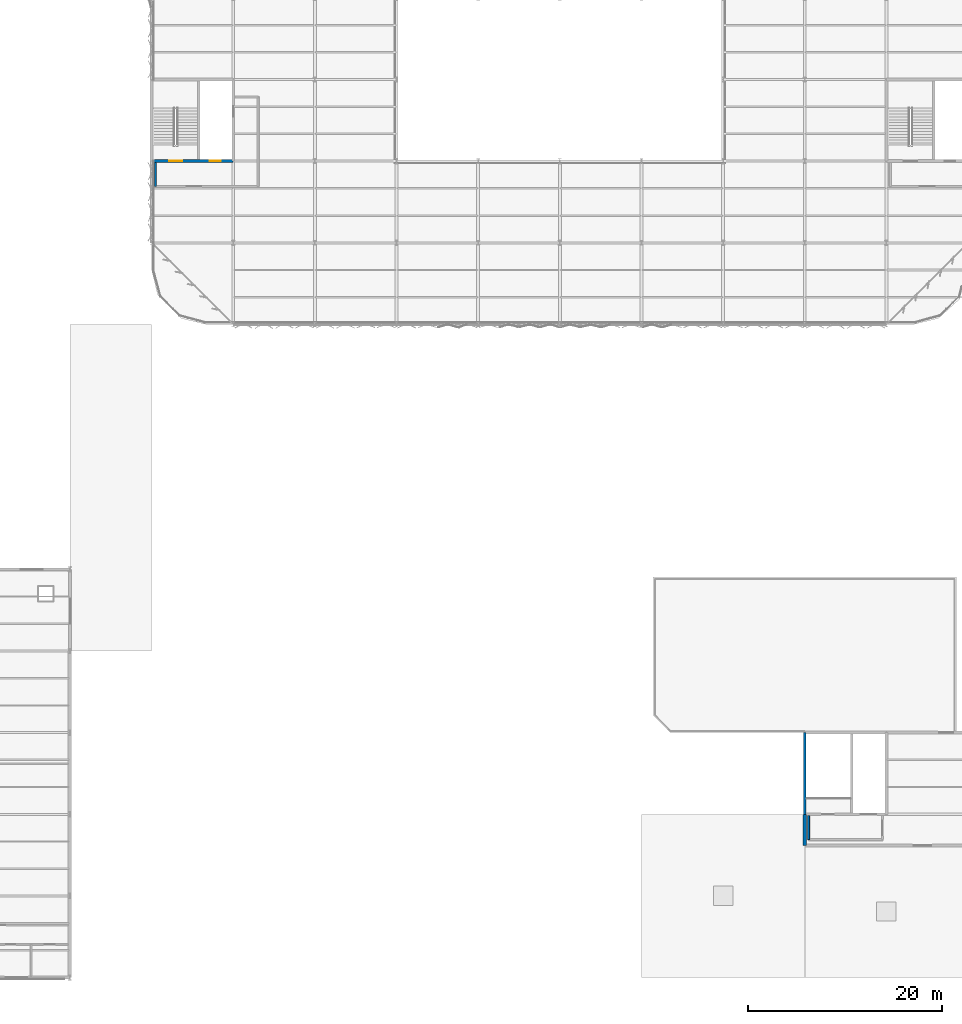
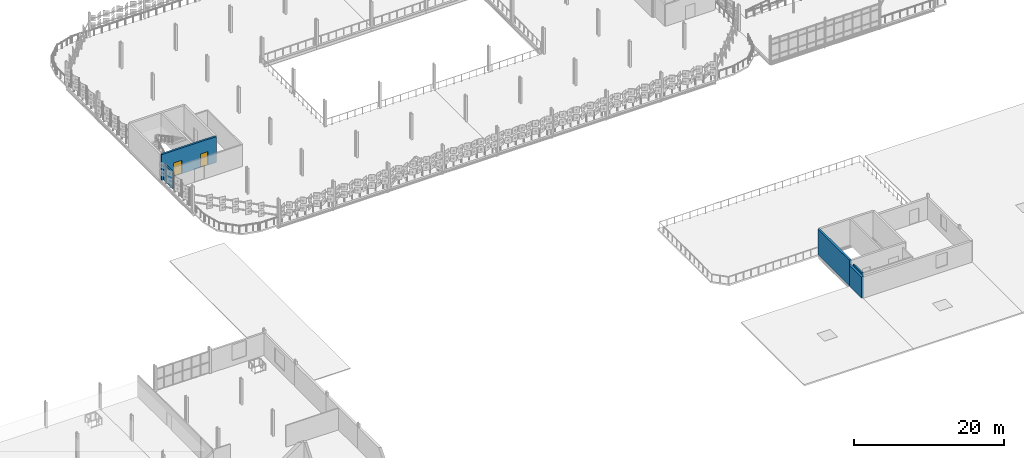
# One storey, part 48 of 69: 5 walls, 2 doors, 2 openings.
"""IFC4 building model written with IfcOpenShell, lengths in metres."""

from ifc_helpers import new_model, si_unit, direction, frame, frame_2d, origin, place, context, subcontext, project, spatial, rectangle, extrude, material, layer, layer_set, type_object, element, fill, save


model = new_model("IFC4")

# Units and contexts
model_context = context("Model", 3, precision=1e-05, world=origin(), true_north=direction((0.0, 1.0)))
body_context = subcontext(model_context, "Body", "Model", "MODEL_VIEW")
ifc_project = project(units=[si_unit("LENGTHUNIT", "METRE"), si_unit("AREAUNIT", "SQUARE_METRE"), si_unit("VOLUMEUNIT", "CUBIC_METRE"), si_unit("PLANEANGLEUNIT", "RADIAN"), si_unit("MASSUNIT", "GRAM", prefix="KILO")], contexts=[model_context])

# Site, building, storey
site_placement = place(None, origin())
site = spatial("IfcSite", under=ifc_project, at=site_placement, CompositionType="ELEMENT")
building_placement = place(site_placement, origin())
building = spatial("IfcBuilding", under=site, at=building_placement, Name="Qalvenar Corner Mobility Hub", CompositionType="ELEMENT")
storey_placement = place(building_placement, frame((0.0, 0.0, 13.199951171875)))
storey = spatial("IfcBuildingStorey", under=building, at=storey_placement, Name="L03", CompositionType="ELEMENT", Elevation=13.199951171875)

# Wall, openings, doors
ifc_material_1 = material(Name="Concrete C40/50", Category="concrete")
ifc_layer_1 = layer(ifc_material_1, 0.300048828125)
ifc_layer_set_1 = layer_set([ifc_layer_1], Name="Concrete C40/50")
wall_type_1 = type_object("IfcWallType", Name="WL-CORE300", PredefinedType="SHEAR", material=ifc_layer_set_1)
wall_1_placement = place(storey_placement, frame((58.800048828125, 84.0, 0.0), z_axis=(0.0, 0.0, 1.0), x_axis=(1.0, 0.0, 0.0)))
wall_1 = element("IfcWall", 1, at=wall_1_placement, inside=storey, type_object=wall_type_1, Name="Core Shear Wall C3-L03-S", PredefinedType="SHEAR", context=body_context, shape_type="SweptSolid", body=[
    extrude(rectangle(XDim=8.39990234375, YDim=0.300048828125, at=frame_2d((4.199951171875, 0.0))), origin(), (0.0, 0.0, 1.0), 4.199951171875),
])
opening_1_placement = place(wall_1_placement, frame((1.800048828125, 0.0, 0.0)))
opening_1 = element("IfcOpeningElement", 2, at=opening_1_placement, cuts=wall_1, Name="Opening DR-207", PredefinedType="OPENING", context=body_context, shape_type="SweptSolid", body=[
    extrude(rectangle(XDim=1.35009765625, YDim=2.199951171875, at=frame_2d((0.675048828125, 1.10009765625))), frame((0.0, 0.16015625, 0.0), z_axis=(0.0, -1.0, 0.0), x_axis=(1.0, 0.0, 0.0)), (0.0, 0.0, 1.0), 0.320068359375),
])
opening_2_placement = place(wall_1_placement, frame((6.0, 0.0, 0.0)))
opening_2 = element("IfcOpeningElement", 3, at=opening_2_placement, cuts=wall_1, Name="Opening DR-208", PredefinedType="OPENING", context=body_context, shape_type="SweptSolid", body=[
    extrude(rectangle(XDim=1.10009765625, YDim=2.199951171875, at=frame_2d((0.550048828125, 1.10009765625))), frame((0.0, 0.16015625, 0.0), z_axis=(0.0, -1.0, 0.0), x_axis=(1.0, 0.0, 0.0)), (0.0, 0.0, 1.0), 0.320068359375),
])
ifc_material_2 = material(Name="Stainless Steel Lift Landing Door", Category="steel")
door_type_1 = type_object("IfcDoorType", Name="DR-LIFT-110", OperationType="SLIDING_TO_LEFT", PredefinedType="DOOR", material=ifc_material_2)
door_1_placement = place(opening_2_placement, origin())
door_1 = element("IfcDoor", 4, at=door_1_placement, inside=storey, type_object=door_type_1, Name="DR-208 Lift Landing Door LP2-L03", OperationType="SLIDING_TO_LEFT", OverallHeight=2.199951171875, OverallWidth=1.10009765625, PredefinedType="DOOR", context=body_context, shape_type="SweptSolid", body=[
    extrude(rectangle(XDim=1.10009765625, YDim=2.199951171875, at=frame_2d((0.550048828125, 1.10009765625))), frame((0.0, 0.02490234375, 0.0), z_axis=(0.0, -1.0, 0.0), x_axis=(1.0, 0.0, 0.0)), (0.0, 0.0, 1.0), 0.050048828125),
])
fill(opening_2, door_1)
ifc_material_3 = material(Name="Fire-Rated Steel Stair Door FD90", Category="steel")
door_type_2 = type_object("IfcDoorType", Name="DR-STAIR-135", OperationType="NOTDEFINED", PredefinedType="DOOR", material=ifc_material_3)
door_2_placement = place(opening_1_placement, origin())
door_2 = element("IfcDoor", 5, at=door_2_placement, inside=storey, type_object=door_type_2, Name="DR-207 Stair Fire Door ST3-L03", OperationType="SINGLE_SWING_RIGHT", OverallHeight=2.199951171875, OverallWidth=1.35009765625, PredefinedType="DOOR", context=body_context, shape_type="SweptSolid", body=[
    extrude(rectangle(XDim=1.35009765625, YDim=2.199951171875, at=frame_2d((0.675048828125, 1.10009765625))), frame((0.0, 0.02490234375, 0.0), z_axis=(0.0, -1.0, 0.0), x_axis=(1.0, 0.0, 0.0)), (0.0, 0.0, 1.0), 0.050048828125),
])
fill(opening_1, door_2)

# Walls
wall_2_placement = place(storey_placement, frame((126.0, 25.199951171875, 0.0), z_axis=(0.0, 0.0, 1.0), x_axis=(0.0, -1.0, 0.0)))
element("IfcWall", 6, at=wall_2_placement, inside=storey, type_object=wall_type_1, Name="Core Shear Wall C6-L03-W", PredefinedType="SHEAR", context=body_context, shape_type="SweptSolid", body=[
    extrude(rectangle(XDim=8.39990234375, YDim=0.300048828125, at=frame_2d((4.199951171875, 0.0))), origin(), (0.0, 0.0, 1.0), 4.199951171875),
])
ifc_material_4 = material(Name="Red Sandstone Ashlar Masonry", Category="masonry")
ifc_layer_2 = layer(ifc_material_4, 0.320068359375)
ifc_layer_set_2 = layer_set([ifc_layer_2], Name="Red Sandstone Ashlar Masonry")
wall_type_2 = type_object("IfcWallType", Name="WL-EXT-SAND320", PredefinedType="STANDARD", material=ifc_layer_set_2)
wall_3_placement = place(storey_placement, frame((126.0, 16.800048828125, 0.0), z_axis=(0.0, 0.0, 1.0), x_axis=(0.0, -1.0, 0.0)))
element("IfcWall", 7, at=wall_3_placement, inside=storey, type_object=wall_type_2, Name="Exterior Facade Wall EW-V6-BOT-W", PredefinedType="STANDARD", context=body_context, shape_type="SweptSolid", body=[
    extrude(rectangle(XDim=3.199951171875, YDim=0.320068359375, at=frame_2d((1.60009765625, 0.0))), origin(), (0.0, 0.0, 1.0), 3.449951171875),
])
ifc_material_5 = material(Name="Concrete Blockwork Masonry", Category="masonry")
ifc_layer_3 = layer(ifc_material_5, 0.199951171875)
ifc_layer_set_3 = layer_set([ifc_layer_3], Name="Concrete Blockwork Masonry")
wall_type_3 = type_object("IfcWallType", Name="WL-LOBBY200", PredefinedType="PARTITIONING", material=ifc_layer_set_3)
wall_4_placement = place(storey_placement, frame((59.199951171875, 81.39990234375, 0.0), z_axis=(0.0, 0.0, 1.0), x_axis=(0.0, 1.0, 0.0)))
element("IfcWall", 8, at=wall_4_placement, inside=storey, type_object=wall_type_3, Name="Interior Partition WL-LOB-C3-L03-W", PredefinedType="PARTITIONING", context=body_context, shape_type="SweptSolid", body=[
    extrude(rectangle(XDim=2.4501953125, YDim=0.199951171875, at=frame_2d((1.22509765625, 0.0))), origin(), (0.0, 0.0, 1.0), 2.610107421875),
])
wall_5_placement = place(storey_placement, frame((126.39990234375, 14.199951171875, 0.0), z_axis=(0.0, 0.0, 1.0), x_axis=(0.0, 1.0, 0.0)))
element("IfcWall", 9, at=wall_5_placement, inside=storey, type_object=wall_type_3, Name="Interior Partition WL-LOB-C6-L03-W", PredefinedType="PARTITIONING", context=body_context, shape_type="SweptSolid", body=[
    extrude(rectangle(XDim=2.449951171875, YDim=0.199951171875, at=frame_2d((1.22509765625, 0.0))), origin(), (0.0, 0.0, 1.0), 3.52001953125),
])

save(model, "model.ifc")
